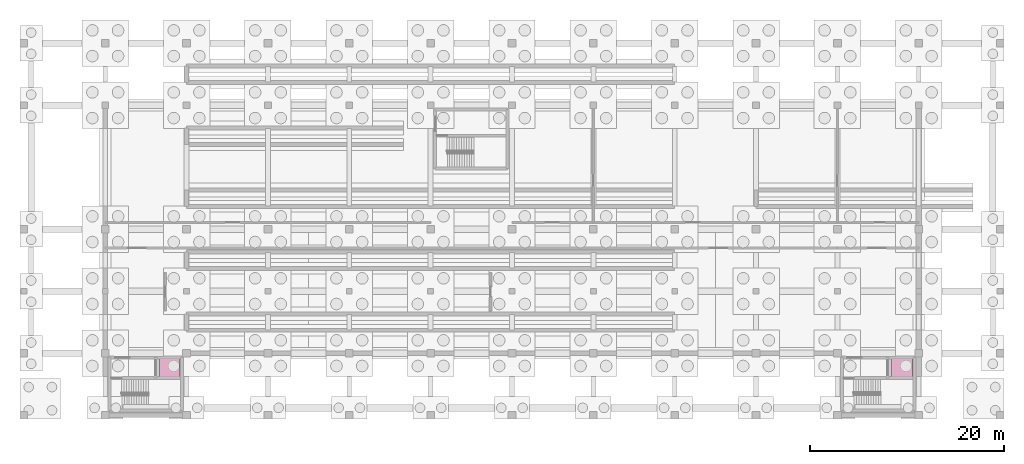
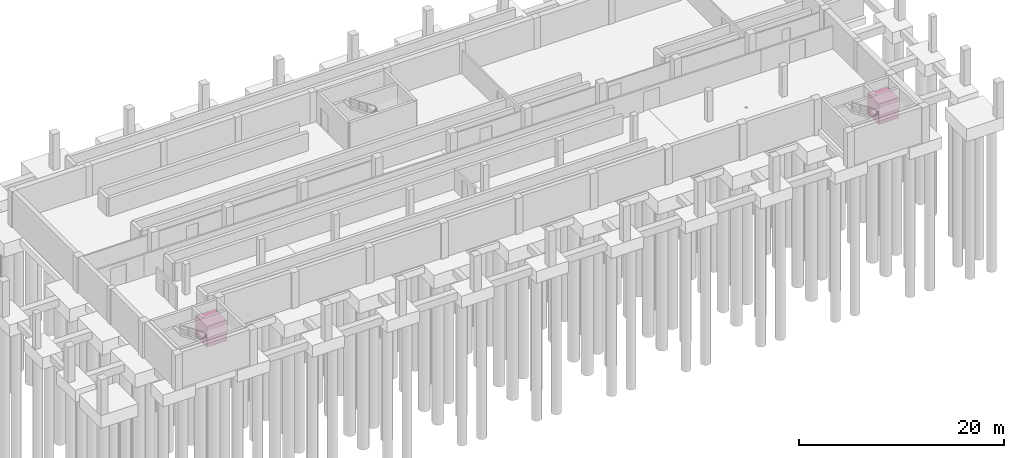
# One storey, part 9 of 9: 2 transport elements.
"""IFC4 building model written with IfcOpenShell, lengths in metres."""

from ifc_helpers import new_model, si_unit, direction, frame, origin, origin_2d, place, context, subcontext, project, spatial, rectangle, extrude, material, type_object, element, save


model = new_model("IFC4")

# Units and contexts
model_context = context("Model", 3, precision=1e-05, world=origin(), true_north=direction((0.0, 1.0)))
body_context = subcontext(model_context, "Body", "Model", "MODEL_VIEW")
ifc_project = project(units=[si_unit("LENGTHUNIT", "METRE"), si_unit("AREAUNIT", "SQUARE_METRE"), si_unit("VOLUMEUNIT", "CUBIC_METRE"), si_unit("PLANEANGLEUNIT", "RADIAN"), si_unit("MASSUNIT", "GRAM", prefix="KILO")], contexts=[model_context])

# Site, building, storey
site_placement = place(None, origin())
site = spatial("IfcSite", under=ifc_project, at=site_placement, CompositionType="ELEMENT")
building_placement = place(site_placement, origin())
building = spatial("IfcBuilding", under=site, at=building_placement, Name="Kazenagashi Tramway Depot", CompositionType="ELEMENT")
storey_placement = place(building_placement, frame((0.0, 0.0, -4.0)))
storey = spatial("IfcBuildingStorey", under=building, at=storey_placement, Name="B01", CompositionType="ELEMENT", Elevation=-4.0)

# Transport elements
ifc_material = material(Name="Brushed Stainless Steel Cab", Category="steel")
transport_element_type = type_object("IfcTransportElementType", Name="LF-T2", PredefinedType="ELEVATOR", material=ifc_material)
for number, where, z_axis, x_axis, name in (
    (1, (59.84, 21.395, 0.0), (0.0, 0.0, 1.0), (1.0, 0.0, 0.0), "Elevator LF-04"),
    (2, (135.44, 21.395, 0.0), (0.0, 0.0, 1.0), (1.0, 0.0, 0.0), "Elevator LF-05"),
):
    element("IfcTransportElement", number, at=place(storey_placement, frame(where, z_axis=z_axis, x_axis=x_axis)), inside=storey, type_object=transport_element_type, Name=name, PredefinedType="ELEVATOR", context=body_context, shape_type="SweptSolid", body=[
        extrude(rectangle(XDim=2.2, YDim=2.2, at=origin_2d()), origin(), (0.0, 0.0, 1.0), 2.45),
    ])

save(model, "model.ifc")
